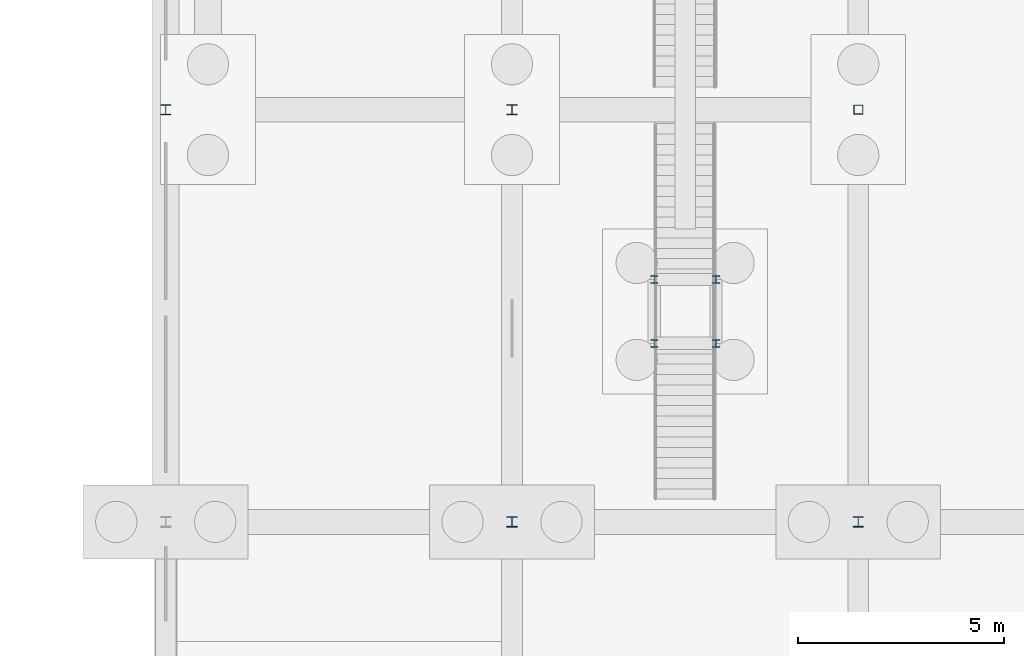
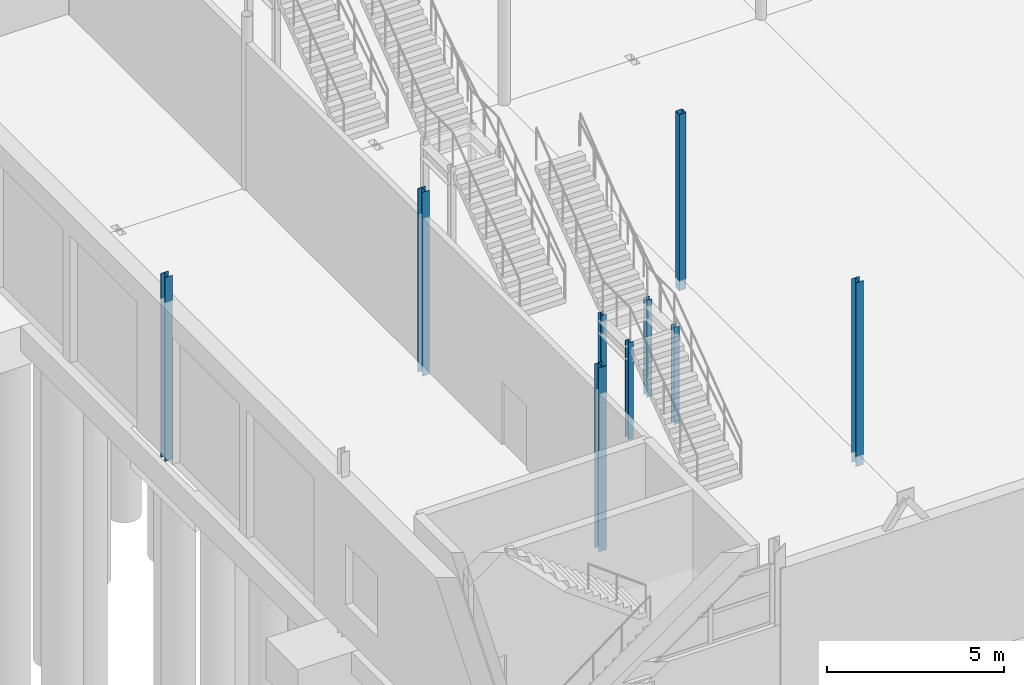
# One storey, part 24 of 139: 9 columns.
"""IFC4 building model written with IfcOpenShell, lengths in metres."""

from ifc_helpers import new_model, si_unit, direction, frame, origin, origin_2d, place, context, subcontext, project, spatial, hollow_rectangle, i_section, extrude, material, material_profile, profile_set, type_object, element, save


model = new_model("IFC4")

# Units and contexts
model_context = context("Model", 3, precision=1e-05, world=origin(), true_north=direction((0.0, 1.0)))
body_context = subcontext(model_context, "Body", "Model", "MODEL_VIEW")
ifc_project = project(units=[si_unit("LENGTHUNIT", "METRE"), si_unit("AREAUNIT", "SQUARE_METRE"), si_unit("VOLUMEUNIT", "CUBIC_METRE"), si_unit("PLANEANGLEUNIT", "RADIAN"), si_unit("MASSUNIT", "GRAM", prefix="KILO")], contexts=[model_context])

# Site, building, storey
site_placement = place(None, origin())
site = spatial("IfcSite", under=ifc_project, at=site_placement, CompositionType="ELEMENT")
building_placement = place(site_placement, origin())
building = spatial("IfcBuilding", under=site, at=building_placement, Name="Kazenagashi Tramway Depot", CompositionType="ELEMENT")
storey_placement = place(building_placement, origin())
storey = spatial("IfcBuildingStorey", under=building, at=storey_placement, Name="L01", CompositionType="ELEMENT", Elevation=0.0)

# Columns
ifc_material_1 = material(Name="Steel SN490B", Category="steel")
ifc_material_profile_1 = material_profile(ifc_material_1, i_section(OverallWidth=0.25, OverallDepth=0.25, WebThickness=0.009, FlangeThickness=0.014, at=origin_2d()), Name="H-250x250x9x14")
ifc_profile_set_1 = profile_set([ifc_material_profile_1], Name="Steel SN490B")
column_type_1 = type_object("IfcColumnType", Name="C-06", PredefinedType="COLUMN", material=ifc_profile_set_1)
for number, where, z_axis, x_axis, name in (
    (1, (53.2, 80.0, -0.35), (0.0, 0.0, 1.0), (1.0, 0.0, 0.0), "Column C-06 COL-0116"),
    (2, (61.6, 80.0, -0.35), (0.0, 0.0, 1.0), (1.0, 0.0, 0.0), "Column C-06 COL-0117"),
    (3, (44.8, 90.0, -0.35), (0.0, 0.0, 1.0), (1.0, 0.0, 0.0), "Column C-06 COL-0134"),
    (4, (53.2, 90.0, -0.35), (0.0, 0.0, 1.0), (1.0, 0.0, 0.0), "Column C-06 COL-0135"),
):
    element("IfcColumn", number, at=place(storey_placement, frame(where, z_axis=z_axis, x_axis=x_axis)), inside=storey, type_object=column_type_1, Name=name, PredefinedType="COLUMN", context=body_context, shape_type="SweptSolid", body=[
        extrude(i_section(OverallWidth=0.25, OverallDepth=0.25, WebThickness=0.009, FlangeThickness=0.014, at=origin_2d()), origin(), (0.0, 0.0, 1.0), 6.35),
    ])
ifc_material_2 = material(Name="Steel SN400B", Category="steel")
ifc_material_profile_2 = material_profile(ifc_material_2, i_section(OverallWidth=0.175, OverallDepth=0.175, WebThickness=0.0075, FlangeThickness=0.011, at=origin_2d()), Name="H-175x175x7.5x11")
ifc_profile_set_2 = profile_set([ifc_material_profile_2], Name="Steel SN400B")
column_type_2 = type_object("IfcColumnType", Name="C-08", PredefinedType="COLUMN", material=ifc_profile_set_2)
for number, where, z_axis, x_axis, name in (
    (5, (56.65, 84.33, -0.35), (0.0, 0.0, 1.0), (1.0, 0.0, 0.0), "Column C-08 COL-0875"),
    (6, (56.65, 85.88, -0.35), (0.0, 0.0, 1.0), (1.0, 0.0, 0.0), "Column C-08 COL-0876"),
    (7, (58.15, 84.33, -0.35), (0.0, 0.0, 1.0), (1.0, 0.0, 0.0), "Column C-08 COL-0877"),
    (8, (58.15, 85.88, -0.35), (0.0, 0.0, 1.0), (1.0, 0.0, 0.0), "Column C-08 COL-0878"),
):
    element("IfcColumn", number, at=place(storey_placement, frame(where, z_axis=z_axis, x_axis=x_axis)), inside=storey, type_object=column_type_2, Name=name, PredefinedType="COLUMN", context=body_context, shape_type="SweptSolid", body=[
        extrude(i_section(OverallWidth=0.175, OverallDepth=0.175, WebThickness=0.0075, FlangeThickness=0.011, at=origin_2d()), origin(), (0.0, 0.0, 1.0), 3.35),
    ])
ifc_material_3 = material(Name="Steel STKR490", Category="steel")
ifc_material_profile_3 = material_profile(ifc_material_3, hollow_rectangle(XDim=0.225, YDim=0.225, WallThickness=0.009, at=origin_2d()), Name="SHS-225x225x9")
ifc_profile_set_3 = profile_set([ifc_material_profile_3], Name="Steel STKR490")
column_type_3 = type_object("IfcColumnType", Name="C-21", PredefinedType="COLUMN", material=ifc_profile_set_3)
column_placement = place(storey_placement, frame((61.6, 90.0, -0.35), z_axis=(0.0, 0.0, 1.0), x_axis=(1.0, 0.0, 0.0)))
element("IfcColumn", 9, at=column_placement, inside=storey, type_object=column_type_3, Name="Column C-21 COL-0136", PredefinedType="COLUMN", context=body_context, shape_type="SweptSolid", body=[
    extrude(hollow_rectangle(XDim=0.225, YDim=0.225, WallThickness=0.009, at=origin_2d()), origin(), (0.0, 0.0, 1.0), 6.085),
])

save(model, "model.ifc")
